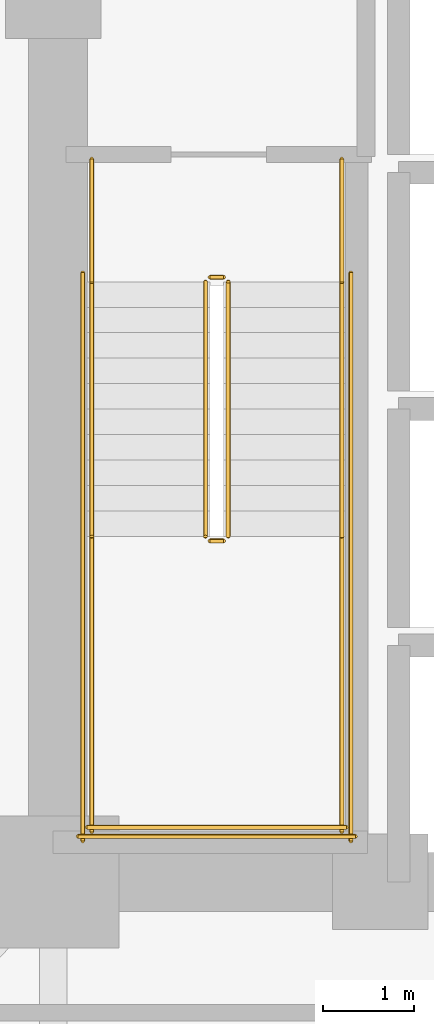
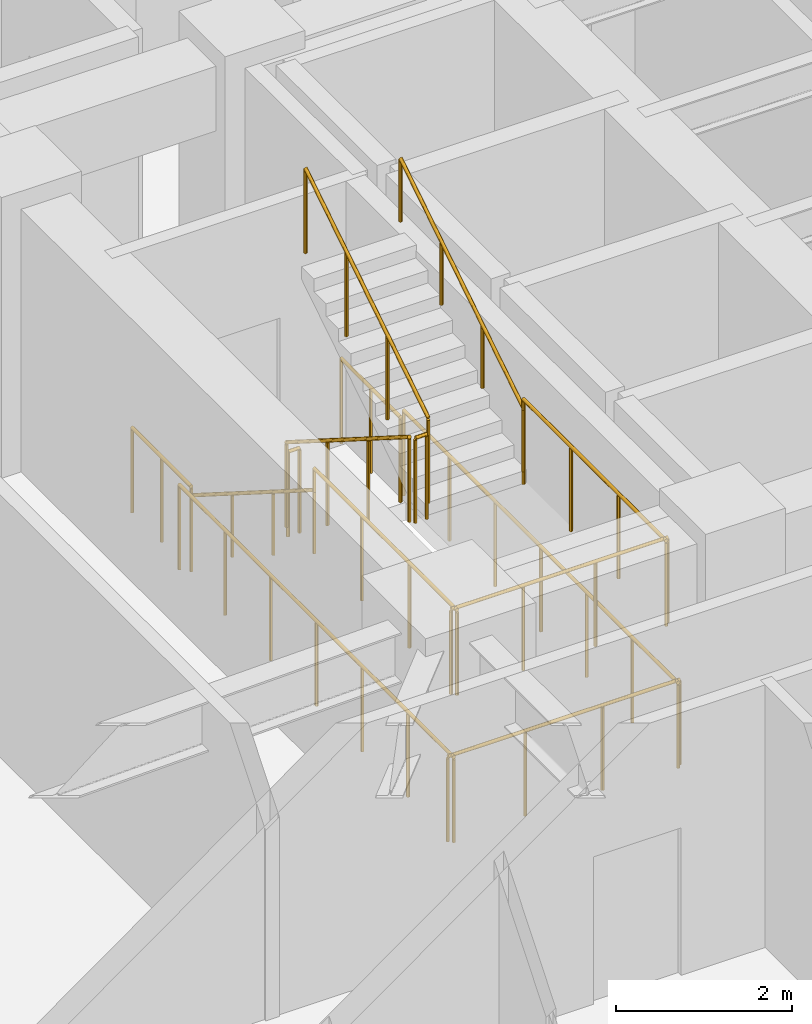
# One storey, part 10 of 11: 14 railings.
"""IFC4 building model written with IfcOpenShell, lengths in metres."""

from ifc_helpers import new_model, si_unit, direction, frame, origin, origin_2d, place, context, subcontext, project, spatial, circle, extrude, material, type_object, element, save


model = new_model("IFC4")

# Units and contexts
model_context = context("Model", 3, precision=1e-05, world=origin(), true_north=direction((0.0, 1.0)))
body_context = subcontext(model_context, "Body", "Model", "MODEL_VIEW")
ifc_project = project(units=[si_unit("LENGTHUNIT", "METRE"), si_unit("AREAUNIT", "SQUARE_METRE"), si_unit("VOLUMEUNIT", "CUBIC_METRE"), si_unit("PLANEANGLEUNIT", "RADIAN"), si_unit("MASSUNIT", "GRAM", prefix="KILO")], contexts=[model_context])

# Site, building, storey
site_placement = place(None, origin())
site = spatial("IfcSite", under=ifc_project, at=site_placement, CompositionType="ELEMENT")
building_placement = place(site_placement, origin())
building = spatial("IfcBuilding", under=site, at=building_placement, Name="Voryun Gate Residences", CompositionType="ELEMENT")
storey_placement = place(building_placement, frame((0.0, 0.0, 57.199951171875)))
storey = spatial("IfcBuildingStorey", under=building, at=storey_placement, Name="L13", CompositionType="ELEMENT", Elevation=57.199951171875)

# Railings
ifc_material_1 = material(Name="Painted steel", Category="steel")
railing_type_1 = type_object("IfcRailingType", Name="RAIL_STAIR_GUARD_1200", PredefinedType="GUARDRAIL", material=ifc_material_1)
railing_1_placement = place(storey_placement, frame((-17.52490234375, -0.800048828125, 0.17724609375)))
element("IfcRailing", 1, at=railing_1_placement, inside=storey, type_object=railing_type_1, Name="L13 ST-W1 stair guard 1", PredefinedType="GUARDRAIL", context=body_context, shape_type="SweptSolid", body=[
    extrude(circle(Radius=0.02392578125, at=origin_2d()), frame((0.0, 0.0, 1.17578125), z_axis=(0.0, -0.844908973607, 0.534910110503), x_axis=(1.0, 0.0, 0.0)), (0.0, 0.0, 1.0), 3.31396484375),
    extrude(circle(Radius=0.02099609375, at=origin_2d()), origin(), (0.0, 0.0, 1.0), 1.15185546875),
    extrude(circle(Radius=0.02099609375, at=origin_2d()), frame((0.0, -0.933349609375, 0.5908203125)), (0.0, 0.0, 1.0), 1.15185546875),
    extrude(circle(Radius=0.02099609375, at=origin_2d()), frame((0.0, -1.86669921875, 1.181884765625)), (0.0, 0.0, 1.0), 1.15185546875),
    extrude(circle(Radius=0.02099609375, at=origin_2d()), frame((0.0, -2.800048828125, 1.772705078125)), (0.0, 0.0, 1.0), 1.15185546875),
])
railing_2_placement = place(storey_placement, frame((-17.47509765625, -3.64990234375, 1.949951171875)))
element("IfcRailing", 2, at=railing_2_placement, inside=storey, type_object=railing_type_1, Name="L13 ST-W1 stair guard 2", PredefinedType="GUARDRAIL", context=body_context, shape_type="SweptSolid", body=[
    extrude(circle(Radius=0.02392578125, at=origin_2d()), frame((0.0, 0.0, 1.17578125), z_axis=(1.0, 0.0, 0.0), x_axis=(0.0, 1.0, 0.0)), (0.0, 0.0, 1.0), 0.150146484375),
    extrude(circle(Radius=0.02099609375, at=origin_2d()), origin(), (0.0, 0.0, 1.0), 1.15185546875),
    extrude(circle(Radius=0.02099609375, at=origin_2d()), frame((0.150146484375, 0.0, 0.0)), (0.0, 0.0, 1.0), 1.15185546875),
])
for number, where, name in (
    (3, (-18.77490234375, -3.60009765625, 1.949951171875), "L13 ST-W1 stair guard 3"),
    (4, (-16.02490234375, -3.60009765625, 1.949951171875), "L13 ST-W1 stair guard 4"),
):
    element("IfcRailing", number, at=place(storey_placement, frame(where)), inside=storey, type_object=railing_type_1, Name=name, PredefinedType="GUARDRAIL", context=body_context, shape_type="SweptSolid", body=[
        extrude(circle(Radius=0.02392578125, at=origin_2d()), frame((0.0, 0.0, 1.17578125), z_axis=(0.0, -1.0, 0.0), x_axis=(1.0, 0.0, 0.0)), (0.0, 0.0, 1.0), 3.25),
        extrude(circle(Radius=0.02099609375, at=origin_2d()), origin(), (0.0, 0.0, 1.0), 1.15185546875),
        extrude(circle(Radius=0.02099609375, at=origin_2d()), frame((0.0, -1.083251953125, 0.0)), (0.0, 0.0, 1.0), 1.15185546875),
        extrude(circle(Radius=0.02099609375, at=origin_2d()), frame((0.0, -2.166748046875, 0.0)), (0.0, 0.0, 1.0), 1.15185546875),
        extrude(circle(Radius=0.02099609375, at=origin_2d()), frame((0.0, -3.25, 0.0)), (0.0, 0.0, 1.0), 1.15185546875),
    ])
railing_3_placement = place(storey_placement, frame((-18.824951171875, -6.800048828125, 1.949951171875)))
element("IfcRailing", 5, at=railing_3_placement, inside=storey, type_object=railing_type_1, Name="L13 ST-W1 stair guard 5", PredefinedType="GUARDRAIL", context=body_context, shape_type="SweptSolid", body=[
    extrude(circle(Radius=0.02392578125, at=origin_2d()), frame((0.0, 0.0, 1.17578125), z_axis=(1.0, 0.0, 0.0), x_axis=(0.0, 1.0, 0.0)), (0.0, 0.0, 1.0), 2.849853515625),
    extrude(circle(Radius=0.02099609375, at=origin_2d()), origin(), (0.0, 0.0, 1.0), 1.15185546875),
    extrude(circle(Radius=0.02099609375, at=origin_2d()), frame((0.949951171875, 0.0, 0.0)), (0.0, 0.0, 1.0), 1.15185546875),
    extrude(circle(Radius=0.02099609375, at=origin_2d()), frame((1.89990234375, 0.0, 0.0)), (0.0, 0.0, 1.0), 1.15185546875),
    extrude(circle(Radius=0.02099609375, at=origin_2d()), frame((2.849853515625, 0.0, 0.0)), (0.0, 0.0, 1.0), 1.15185546875),
])
railing_4_placement = place(storey_placement, frame((-17.27490234375, -3.60009765625, 2.12744140625)))
element("IfcRailing", 6, at=railing_4_placement, inside=storey, type_object=railing_type_1, Name="L13 ST-W1 stair guard 6", PredefinedType="GUARDRAIL", context=body_context, shape_type="SweptSolid", body=[
    extrude(circle(Radius=0.02392578125, at=origin_2d()), frame((0.0, 0.0, 1.17578125), z_axis=(0.0, 0.844908973607, 0.534910110503), x_axis=(-1.0, 0.0, 0.0)), (0.0, 0.0, 1.0), 3.31396484375),
    extrude(circle(Radius=0.02099609375, at=origin_2d()), origin(), (0.0, 0.0, 1.0), 1.15185546875),
    extrude(circle(Radius=0.02099609375, at=origin_2d()), frame((0.0, 0.933349609375, 0.5908203125)), (0.0, 0.0, 1.0), 1.15185546875),
    extrude(circle(Radius=0.02099609375, at=origin_2d()), frame((0.0, 1.86669921875, 1.181884765625)), (0.0, 0.0, 1.0), 1.15185546875),
    extrude(circle(Radius=0.02099609375, at=origin_2d()), frame((0.0, 2.800048828125, 1.772705078125)), (0.0, 0.0, 1.0), 1.15185546875),
])
railing_5_placement = place(storey_placement, frame((-17.47509765625, -0.75, 0.0)))
element("IfcRailing", 7, at=railing_5_placement, inside=storey, type_object=railing_type_1, Name="L13 ST-W1 stair guard 7", PredefinedType="GUARDRAIL", context=body_context, shape_type="SweptSolid", body=[
    extrude(circle(Radius=0.02392578125, at=origin_2d()), frame((0.0, 0.0, 1.17578125), z_axis=(1.0, 0.0, 0.0), x_axis=(0.0, 1.0, 0.0)), (0.0, 0.0, 1.0), 0.150146484375),
    extrude(circle(Radius=0.02099609375, at=origin_2d()), origin(), (0.0, 0.0, 1.0), 1.15185546875),
    extrude(circle(Radius=0.02099609375, at=origin_2d()), frame((0.150146484375, 0.0, 0.0)), (0.0, 0.0, 1.0), 1.15185546875),
])
for number, where, name in (
    (8, (-18.77490234375, 0.550048828125, 0.0), "L13 ST-W1 stair guard 8"),
    (9, (-16.02490234375, 0.550048828125, 0.0), "L13 ST-W1 stair guard 9"),
):
    element("IfcRailing", number, at=place(storey_placement, frame(where)), inside=storey, type_object=railing_type_1, Name=name, PredefinedType="GUARDRAIL", context=body_context, shape_type="SweptSolid", body=[
        extrude(circle(Radius=0.02392578125, at=origin_2d()), frame((0.0, 0.0, 1.17578125), z_axis=(0.0, -1.0, 0.0), x_axis=(1.0, 0.0, 0.0)), (0.0, 0.0, 1.0), 1.35009765625),
        extrude(circle(Radius=0.02099609375, at=origin_2d()), origin(), (0.0, 0.0, 1.0), 1.15185546875),
        extrude(circle(Radius=0.02099609375, at=origin_2d()), frame((0.0, -0.675048828125, 0.0)), (0.0, 0.0, 1.0), 1.15185546875),
        extrude(circle(Radius=0.02099609375, at=origin_2d()), frame((0.0, -1.35009765625, 0.0)), (0.0, 0.0, 1.0), 1.15185546875),
    ])
for number, where, name in (
    (10, (-18.875, -0.699951171875, 0.0), "L13 ST-W1 stair guard 10"),
    (11, (-15.925048828125, -0.699951171875, 0.0), "L13 ST-W1 stair guard 11"),
):
    element("IfcRailing", number, at=place(storey_placement, frame(where)), inside=storey, type_object=railing_type_1, Name=name, PredefinedType="GUARDRAIL", context=body_context, shape_type="SweptSolid", body=[
        extrude(circle(Radius=0.02392578125, at=origin_2d()), frame((0.0, 0.0, 1.17578125), z_axis=(0.0, -1.0, 0.0), x_axis=(1.0, 0.0, 0.0)), (0.0, 0.0, 1.0), 6.25),
        extrude(circle(Radius=0.02099609375, at=origin_2d()), origin(), (0.0, 0.0, 1.0), 1.15185546875),
        extrude(circle(Radius=0.02099609375, at=origin_2d()), frame((0.0, -1.041748046875, 0.0)), (0.0, 0.0, 1.0), 1.15185546875),
        extrude(circle(Radius=0.02099609375, at=origin_2d()), frame((0.0, -2.083251953125, 0.0)), (0.0, 0.0, 1.0), 1.15185546875),
        extrude(circle(Radius=0.02099609375, at=origin_2d()), frame((0.0, -3.125, 0.0)), (0.0, 0.0, 1.0), 1.15185546875),
        extrude(circle(Radius=0.02099609375, at=origin_2d()), frame((0.0, -4.166748046875, 0.0)), (0.0, 0.0, 1.0), 1.15185546875),
        extrude(circle(Radius=0.02099609375, at=origin_2d()), frame((0.0, -5.208251953125, 0.0)), (0.0, 0.0, 1.0), 1.15185546875),
        extrude(circle(Radius=0.02099609375, at=origin_2d()), frame((0.0, -6.25, 0.0)), (0.0, 0.0, 1.0), 1.15185546875),
    ])
railing_6_placement = place(storey_placement, frame((-18.925048828125, -6.89990234375, 0.0)))
element("IfcRailing", 12, at=railing_6_placement, inside=storey, type_object=railing_type_1, Name="L13 ST-W1 stair guard 12", PredefinedType="GUARDRAIL", context=body_context, shape_type="SweptSolid", body=[
    extrude(circle(Radius=0.02392578125, at=origin_2d()), frame((0.0, 0.0, 1.17578125), z_axis=(1.0, 0.0, 0.0), x_axis=(0.0, 1.0, 0.0)), (0.0, 0.0, 1.0), 3.050048828125),
    extrude(circle(Radius=0.02099609375, at=origin_2d()), origin(), (0.0, 0.0, 1.0), 1.15185546875),
    extrude(circle(Radius=0.02099609375, at=origin_2d()), frame((1.0166015625, 0.0, 0.0)), (0.0, 0.0, 1.0), 1.15185546875),
    extrude(circle(Radius=0.02099609375, at=origin_2d()), frame((2.033447265625, 0.0, 0.0)), (0.0, 0.0, 1.0), 1.15185546875),
    extrude(circle(Radius=0.02099609375, at=origin_2d()), frame((3.050048828125, 0.0, 0.0)), (0.0, 0.0, 1.0), 1.15185546875),
])
ifc_material_2 = material(Name="Painted steel", Category="steel")
railing_type_2 = type_object("IfcRailingType", Name="RAIL_STAIR_HANDRAIL_900", PredefinedType="HANDRAIL", material=ifc_material_2)
railing_7_placement = place(storey_placement, frame((-18.77490234375, -0.800048828125, 0.17724609375)))
element("IfcRailing", 13, at=railing_7_placement, inside=storey, type_object=railing_type_2, Name="L13 ST-W1 stair handrail 1", PredefinedType="HANDRAIL", context=body_context, shape_type="SweptSolid", body=[
    extrude(circle(Radius=0.02392578125, at=origin_2d()), frame((0.0, 0.0, 0.8759765625), z_axis=(0.0, -0.844908973607, 0.534910110503), x_axis=(1.0, 0.0, 0.0)), (0.0, 0.0, 1.0), 3.31396484375),
    extrude(circle(Radius=0.02099609375, at=origin_2d()), origin(), (0.0, 0.0, 1.0), 0.851806640625),
    extrude(circle(Radius=0.02099609375, at=origin_2d()), frame((0.0, -0.933349609375, 0.5908203125)), (0.0, 0.0, 1.0), 0.851806640625),
    extrude(circle(Radius=0.02099609375, at=origin_2d()), frame((0.0, -1.86669921875, 1.181884765625)), (0.0, 0.0, 1.0), 0.851806640625),
    extrude(circle(Radius=0.02099609375, at=origin_2d()), frame((0.0, -2.800048828125, 1.772705078125)), (0.0, 0.0, 1.0), 0.851806640625),
])
railing_8_placement = place(storey_placement, frame((-16.02490234375, -3.60009765625, 2.12744140625)))
element("IfcRailing", 14, at=railing_8_placement, inside=storey, type_object=railing_type_2, Name="L13 ST-W1 stair handrail 2", PredefinedType="HANDRAIL", context=body_context, shape_type="SweptSolid", body=[
    extrude(circle(Radius=0.02392578125, at=origin_2d()), frame((0.0, 0.0, 0.8759765625), z_axis=(0.0, 0.844908973607, 0.534910110503), x_axis=(-1.0, 0.0, 0.0)), (0.0, 0.0, 1.0), 3.31396484375),
    extrude(circle(Radius=0.02099609375, at=origin_2d()), origin(), (0.0, 0.0, 1.0), 0.851806640625),
    extrude(circle(Radius=0.02099609375, at=origin_2d()), frame((0.0, 0.933349609375, 0.5908203125)), (0.0, 0.0, 1.0), 0.851806640625),
    extrude(circle(Radius=0.02099609375, at=origin_2d()), frame((0.0, 1.86669921875, 1.181884765625)), (0.0, 0.0, 1.0), 0.851806640625),
    extrude(circle(Radius=0.02099609375, at=origin_2d()), frame((0.0, 2.800048828125, 1.772705078125)), (0.0, 0.0, 1.0), 0.851806640625),
])

save(model, "model.ifc")
